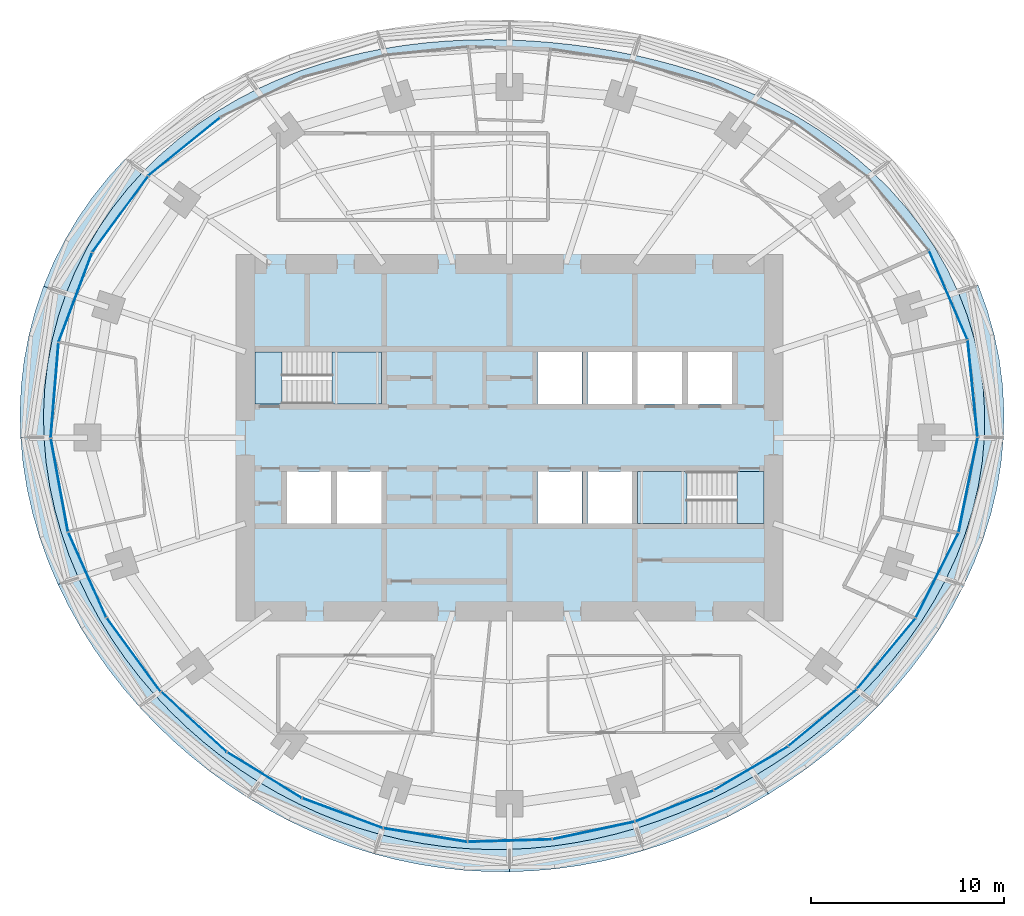
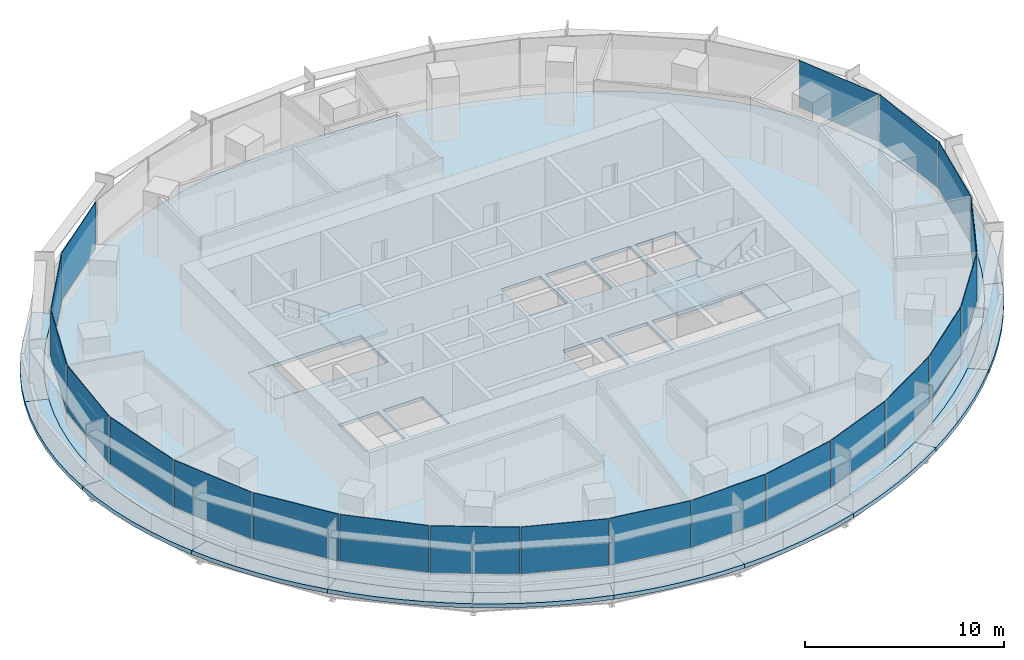
# One storey, part 10 of 17: 21 plates, 18 slabs, 7 elements without a shape of their own.
"""IFC4 building model written with IfcOpenShell, lengths in metres."""

from ifc_helpers import new_model, si_unit, direction, frame, origin, origin_2d, place, context, subcontext, project, spatial, polyline, rectangle, outline, extrude, material, layer, layer_set, type_object, element, aggregate, save


model = new_model("IFC4")

# Units and contexts
model_context = context("Model", 3, precision=1e-05, world=origin(), true_north=direction((0.0, 1.0)))
body_context = subcontext(model_context, "Body", "Model", "MODEL_VIEW")
ifc_project = project(units=[si_unit("LENGTHUNIT", "METRE"), si_unit("AREAUNIT", "SQUARE_METRE"), si_unit("VOLUMEUNIT", "CUBIC_METRE"), si_unit("PLANEANGLEUNIT", "RADIAN"), si_unit("MASSUNIT", "GRAM", prefix="KILO")], contexts=[model_context])

# Site, building, storey
site_placement = place(None, origin())
site = spatial("IfcSite", under=ifc_project, at=site_placement, CompositionType="ELEMENT")
building_placement = place(site_placement, origin())
building = spatial("IfcBuilding", under=site, at=building_placement, Name="Marramba Exchange Tower", CompositionType="ELEMENT")
storey_placement = place(building_placement, frame((0.0, 0.0, 172.10009765625)))
storey = spatial("IfcBuildingStorey", under=building, at=storey_placement, Name="L41", CompositionType="ELEMENT", Elevation=172.10009765625)

# Slab
ifc_material_1 = material(Name="Concrete N40", Category="concrete")
ifc_layer_1 = layer(ifc_material_1, 0.199951171875)
ifc_layer_set_1 = layer_set([ifc_layer_1], Name="Floor slab 200")
slab_type_1 = type_object("IfcSlabType", Name="Floor slab 200", PredefinedType="FLOOR", material=ifc_layer_set_1)
slab_1_placement = place(storey_placement, frame((0.0, 0.0, -0.2001953125)))
element("IfcSlab", 1, at=slab_1_placement, inside=storey, type_object=slab_type_1, Name="Floor slab L41", PredefinedType="FLOOR", context=body_context, shape_type="SweptSolid", body=[
    extrude(outline(polyline([(24.64404296875, 0.0), (24.661376953125, 1.29248046875), (24.580078125, 2.58349609375), (24.399658203125, 3.864501953125), (24.12109375, 5.127197265625), (23.7470703125, 6.363037109375), (23.281494140625, 7.564697265625), (22.72900390625, 8.724853515625), (22.095947265625, 9.837646484375), (21.388427734375, 10.89794921875), (20.614013671875, 11.901611328125), (19.780029296875, 12.845458984375), (18.894287109375, 13.7275390625), (17.964111328125, 14.547119140625), (16.996826171875, 15.303955078125), (15.9990234375, 15.9990234375), (14.977294921875, 16.634033203125), (13.936767578125, 17.21044921875), (12.882568359375, 17.7314453125), (11.819091796875, 18.19970703125), (10.749267578125, 18.6181640625), (9.67578125, 18.989990234375), (8.60107421875, 19.318115234375), (7.52587890625, 19.60546875), (6.451171875, 19.8544921875), (5.377197265625, 20.067626953125), (4.303466796875, 20.246337890625), (3.229736328125, 20.39208984375), (2.1552734375, 20.50537109375), (1.078857421875, 20.5869140625), (0.0, 20.63623046875), (-1.082275390625, 20.652587890625), (-2.168701171875, 20.634765625), (-3.259765625, 20.580810546875), (-4.35498046875, 20.4892578125), (-5.45458984375, 20.35693359375), (-6.557373046875, 20.181884765625), (-7.662353515625, 19.9609375), (-8.76708984375, 19.691162109375), (-9.869384765625, 19.369873046875), (-10.96630859375, 18.994384765625), (-12.05419921875, 18.561767578125), (-13.128662109375, 18.070068359375), (-14.185546875, 17.517578125), (-15.218994140625, 16.902587890625), (-16.22412109375, 16.22412109375), (-17.195068359375, 15.482421875), (-18.12548828125, 14.677734375), (-19.009521484375, 13.811279296875), (-19.841064453125, 12.885009765625), (-20.614013671875, 11.901611328125), (-21.32275390625, 10.864501953125), (-21.9619140625, 9.778076171875), (-22.52685546875, 8.647216796875), (-23.01318359375, 7.477294921875), (-23.417724609375, 6.274658203125), (-23.73779296875, 5.045654296875), (-23.971923828125, 3.796875), (-24.119384765625, 2.53515625), (-24.180419921875, 1.267333984375), (-24.156005859375, 0.0), (-24.04833984375, -1.26025390625), (-23.860107421875, -2.5078125), (-23.594482421875, -3.737060546875), (-23.25537109375, -4.943115234375), (-22.846923828125, -6.121826171875), (-22.373291015625, -7.26953125), (-21.8388671875, -8.38330078125), (-21.247802734375, -9.460205078125), (-20.604248046875, -10.49853515625), (-19.912109375, -11.496337890625), (-19.174560546875, -12.4521484375), (-18.395263671875, -13.364990234375), (-17.5771484375, -14.233642578125), (-16.72265625, -15.05712890625), (-15.834228515625, -15.834228515625), (-14.914794921875, -16.564453125), (-13.966064453125, -17.24658203125), (-12.990234375, -17.879638671875), (-11.98974609375, -18.46240234375), (-10.96630859375, -18.994384765625), (-9.922607421875, -19.47412109375), (-8.860595703125, -19.901123046875), (-7.78271484375, -20.2744140625), (-6.691162109375, -20.593505859375), (-5.5888671875, -20.858154296875), (-4.478271484375, -21.068115234375), (-3.361328125, -21.22314453125), (-2.2412109375, -21.32373046875), (-1.119873046875, -21.370361328125), (0.0, -21.36376953125), (1.116455078125, -21.3046875), (2.2275390625, -21.194580078125), (3.33154296875, -21.0341796875), (4.426513671875, -20.8251953125), (5.511474609375, -20.56884765625), (6.5849609375, -20.266357421875), (7.646240234375, -19.919189453125), (8.694580078125, -19.528076171875), (9.72900390625, -19.09423828125), (10.749267578125, -18.6181640625), (11.75439453125, -18.100341796875), (12.744140625, -17.541015625), (13.71728515625, -16.939697265625), (14.6728515625, -16.2958984375), (15.609130859375, -15.609130859375), (16.5244140625, -14.878662109375), (17.415771484375, -14.10302734375), (18.280029296875, -13.28125), (19.11376953125, -12.41259765625), (19.912109375, -11.496337890625), (20.669921875, -10.531982421875), (21.3818359375, -9.519775390625), (22.041259765625, -8.4609375), (22.641845703125, -7.356689453125), (23.176513671875, -6.210205078125), (23.638671875, -5.024658203125), (24.022216796875, -3.8046875), (24.32080078125, -2.55615234375), (24.529541015625, -1.28564453125), (24.64404296875, 0.0)]), holes=[polyline([(1.449951171875, 1.75), (3.75, 1.75), (3.75, 4.449951171875), (1.449951171875, 4.449951171875), (1.449951171875, 1.75)]), polyline([(4.050048828125, 1.75), (6.35009765625, 1.75), (6.35009765625, 4.449951171875), (4.050048828125, 4.449951171875), (4.050048828125, 1.75)]), polyline([(1.449951171875, -4.449951171875), (3.75, -4.449951171875), (3.75, -1.75), (1.449951171875, -1.75), (1.449951171875, -4.449951171875)]), polyline([(4.050048828125, -4.449951171875), (6.35009765625, -4.449951171875), (6.35009765625, -1.75), (4.050048828125, -1.75), (4.050048828125, -4.449951171875)]), polyline([(6.64990234375, 1.75), (8.949951171875, 1.75), (8.949951171875, 4.449951171875), (6.64990234375, 4.449951171875), (6.64990234375, 1.75)]), polyline([(-8.949951171875, -4.449951171875), (-6.64990234375, -4.449951171875), (-6.64990234375, -1.75), (-8.949951171875, -1.75), (-8.949951171875, -4.449951171875)]), polyline([(-11.550048828125, -4.449951171875), (-9.25, -4.449951171875), (-9.25, -1.75), (-11.550048828125, -1.75), (-11.550048828125, -4.449951171875)]), polyline([(9.25, 1.75), (11.550048828125, 1.75), (11.550048828125, 4.449951171875), (9.25, 4.449951171875), (9.25, 1.75)]), polyline([(-13.199951171875, 1.75), (-6.64990234375, 1.75), (-6.64990234375, 4.449951171875), (-13.199951171875, 4.449951171875), (-13.199951171875, 1.75)]), polyline([(6.64990234375, -4.449951171875), (13.199951171875, -4.449951171875), (13.199951171875, -1.75), (6.64990234375, -1.75), (6.64990234375, -4.449951171875)])]), origin(), (0.0, 0.0, 1.0), 0.2001953125),
])

# Curtain wall, plates
ifc_material_2 = material(Name="Aluminium framing, bronze anodised", Category="aluminium")
curtain_wall_type = type_object("IfcCurtainWallType", Name="Office ribbon curtain wall", PredefinedType="USERDEFINED", material=ifc_material_2)
curtain_wall_1_placement = place(storey_placement, origin())
curtain_wall_1 = element("IfcCurtainWall", 2, at=curtain_wall_1_placement, inside=storey, type_object=curtain_wall_type, Name="Curtain wall CW4 L41 F01-F05", ObjectType="RIBBON CURTAIN WALL", PredefinedType="USERDEFINED")
ifc_material_3 = material(Name="Laminated double glazed unit 10.76 + 16 + 10.76, bronze tinted", Category="glass")
ifc_layer_2 = layer(ifc_material_3, 0.03759765625)
ifc_layer_set_2 = layer_set([ifc_layer_2], Name="Office ribbon curtain wall panel")
plate_type = type_object("IfcPlateType", Name="Office ribbon curtain wall panel", PredefinedType="CURTAIN_PANEL", material=ifc_layer_set_2)
plate_1_placement = place(storey_placement, frame((24.033203125, 2.556884765625, 0.85986328125), z_axis=(0.0, 0.0, 1.0), x_axis=(-0.101422472607, 0.994843446001, 0.0)))
plate_1 = element("IfcPlate", 3, at=plate_1_placement, type_object=plate_type, Name="CW4 vision panel", PredefinedType="CURTAIN_PANEL", context=body_context, shape_type="SweptSolid", body=[
    extrude(rectangle(XDim=5.0205078125, YDim=0.03759765625, at=origin_2d()), origin(), (0.0, 0.0, 1.0), 2.8798828125),
])
plate_2_placement = place(storey_placement, frame((22.765625, 7.40234375, 0.85986328125), z_axis=(0.0, 0.0, 1.0), x_axis=(-0.396193346946, 0.918167104527, 0.0)))
plate_2 = element("IfcPlate", 4, at=plate_2_placement, type_object=plate_type, Name="CW4 vision panel", PredefinedType="CURTAIN_PANEL", context=body_context, shape_type="SweptSolid", body=[
    extrude(rectangle(XDim=4.99462890625, YDim=0.03759765625, at=origin_2d()), origin(), (0.0, 0.0, 1.0), 2.8798828125),
])
aggregate(curtain_wall_1, [plate_1, plate_2])

curtain_wall_2_placement = place(storey_placement, origin())
curtain_wall_2 = element("IfcCurtainWall", 5, at=curtain_wall_2_placement, inside=storey, type_object=curtain_wall_type, Name="Curtain wall CW4 L41 F11-F15", ObjectType="RIBBON CURTAIN WALL", PredefinedType="USERDEFINED")
plate_3_placement = place(storey_placement, frame((-16.87890625, 15.10498046875, 0.85986328125), z_axis=(0.0, 0.0, 1.0), x_axis=(-0.776432169145, -0.630200830464, 0.0)))
plate_3 = element("IfcPlate", 6, at=plate_3_placement, type_object=plate_type, Name="CW4 vision panel", PredefinedType="CURTAIN_PANEL", context=body_context, shape_type="SweptSolid", body=[
    extrude(rectangle(XDim=4.7587890625, YDim=0.03759765625, at=origin_2d()), origin(), (0.0, 0.0, 1.0), 2.8798828125),
])
plate_4_placement = place(storey_placement, frame((-20.2021484375, 11.596435546875, 0.85986328125), z_axis=(0.0, 0.0, 1.0), x_axis=(-0.591962922138, -0.805965197024, 0.0)))
plate_4 = element("IfcPlate", 7, at=plate_4_placement, type_object=plate_type, Name="CW4 vision panel", PredefinedType="CURTAIN_PANEL", context=body_context, shape_type="SweptSolid", body=[
    extrude(rectangle(XDim=4.865478515625, YDim=0.03759765625, at=origin_2d()), origin(), (0.0, 0.0, 1.0), 2.8798828125),
])
plate_5_placement = place(storey_placement, frame((-22.529296875, 7.276123046875, 0.85986328125), z_axis=(0.0, 0.0, 1.0), x_axis=(-0.351951515885, -0.936018231909, 0.0)))
plate_5 = element("IfcPlate", 8, at=plate_5_placement, type_object=plate_type, Name="CW4 vision panel", PredefinedType="CURTAIN_PANEL", context=body_context, shape_type="SweptSolid", body=[
    extrude(rectangle(XDim=4.921630859375, YDim=0.03759765625, at=origin_2d()), origin(), (0.0, 0.0, 1.0), 2.8798828125),
])
plate_6_placement = place(storey_placement, frame((-23.603271484375, 2.45654296875, 0.85986328125), z_axis=(0.0, 0.0, 1.0), x_axis=(-0.082280890264, -0.996609178714, 0.0)))
plate_6 = element("IfcPlate", 9, at=plate_6_placement, type_object=plate_type, Name="CW4 vision panel", PredefinedType="CURTAIN_PANEL", context=body_context, shape_type="SweptSolid", body=[
    extrude(rectangle(XDim=4.9296875, YDim=0.03759765625, at=origin_2d()), origin(), (0.0, 0.0, 1.0), 2.8798828125),
])
aggregate(curtain_wall_2, [plate_3, plate_4, plate_5, plate_6])

curtain_wall_3_placement = place(storey_placement, origin())
curtain_wall_3 = element("IfcCurtainWall", 10, at=curtain_wall_3_placement, inside=storey, type_object=curtain_wall_type, Name="Curtain wall CW4 L41 F16-F20", ObjectType="RIBBON CURTAIN WALL", PredefinedType="USERDEFINED")
plate_7_placement = place(storey_placement, frame((-23.354248046875, -2.464599609375, 0.85986328125), z_axis=(0.0, 0.0, 1.0), x_axis=(0.180327438996, -0.983606636184, 0.0)))
plate_7 = element("IfcPlate", 11, at=plate_7_placement, type_object=plate_type, Name="CW4 vision panel", PredefinedType="CURTAIN_PANEL", context=body_context, shape_type="SweptSolid", body=[
    extrude(rectangle(XDim=4.8916015625, YDim=0.03759765625, at=origin_2d()), origin(), (0.0, 0.0, 1.0), 2.8798828125),
])
plate_8_placement = place(storey_placement, frame((-21.908447265625, -7.12158203125, 0.85986328125), z_axis=(0.0, 0.0, 1.0), x_axis=(0.407557580942, -0.913179510401, 0.0)))
plate_8 = element("IfcPlate", 12, at=plate_8_placement, type_object=plate_type, Name="CW4 vision panel", PredefinedType="CURTAIN_PANEL", context=body_context, shape_type="SweptSolid", body=[
    extrude(rectangle(XDim=4.810302734375, YDim=0.03759765625, at=origin_2d()), origin(), (0.0, 0.0, 1.0), 2.8798828125),
])
plate_9_placement = place(storey_placement, frame((-19.50244140625, -11.2626953125, 0.85986328125), z_axis=(0.0, 0.0, 1.0), x_axis=(0.591223103363, -0.806508054547, 0.0)))
plate_9 = element("IfcPlate", 13, at=plate_9_placement, type_object=plate_type, Name="CW4 vision panel", PredefinedType="CURTAIN_PANEL", context=body_context, shape_type="SweptSolid", body=[
    extrude(rectangle(XDim=4.703125, YDim=0.03759765625, at=origin_2d()), origin(), (0.0, 0.0, 1.0), 2.8798828125),
])
plate_10_placement = place(storey_placement, frame((-16.374267578125, -14.752197265625, 0.85986328125), z_axis=(0.0, 0.0, 1.0), x_axis=(0.737203264245, -0.67567103474, 0.0)))
plate_10 = element("IfcPlate", 14, at=plate_10_placement, type_object=plate_type, Name="CW4 vision panel", PredefinedType="CURTAIN_PANEL", context=body_context, shape_type="SweptSolid", body=[
    extrude(rectangle(XDim=4.594970703125, YDim=0.03759765625, at=origin_2d()), origin(), (0.0, 0.0, 1.0), 2.8798828125),
])
plate_11_placement = place(storey_placement, frame((-12.71044921875, -17.513427734375, 0.85986328125), z_axis=(0.0, 0.0, 1.0), x_axis=(0.85230101176, -0.52305160869, 0.0)))
plate_11 = element("IfcPlate", 15, at=plate_11_placement, type_object=plate_type, Name="CW4 vision panel", PredefinedType="CURTAIN_PANEL", context=body_context, shape_type="SweptSolid", body=[
    extrude(rectangle(XDim=4.503173828125, YDim=0.03759765625, at=origin_2d()), origin(), (0.0, 0.0, 1.0), 2.8798828125),
])
aggregate(curtain_wall_3, [plate_7, plate_8, plate_9, plate_10, plate_11])

curtain_wall_4_placement = place(storey_placement, origin())
curtain_wall_4 = element("IfcCurtainWall", 16, at=curtain_wall_4_placement, inside=storey, type_object=curtain_wall_type, Name="Curtain wall CW4 L41 F21-F25", ObjectType="RIBBON CURTAIN WALL", PredefinedType="USERDEFINED")
plate_12_placement = place(storey_placement, frame((-8.6591796875, -19.486572265625, 0.85986328125), z_axis=(0.0, 0.0, 1.0), x_axis=(0.936951583142, -0.349459197687, 0.0)))
plate_12 = element("IfcPlate", 17, at=plate_12_placement, type_object=plate_type, Name="CW4 vision panel", PredefinedType="CURTAIN_PANEL", context=body_context, shape_type="SweptSolid", body=[
    extrude(rectangle(XDim=4.431396484375, YDim=0.03759765625, at=origin_2d()), origin(), (0.0, 0.0, 1.0), 2.8798828125),
])
plate_13_placement = place(storey_placement, frame((-4.3642578125, -20.623046875, 0.85986328125), z_axis=(0.0, 0.0, 1.0), x_axis=(0.986930623159, -0.161145726194, 0.0)))
plate_13 = element("IfcPlate", 18, at=plate_13_placement, type_object=plate_type, Name="CW4 vision panel", PredefinedType="CURTAIN_PANEL", context=body_context, shape_type="SweptSolid", body=[
    extrude(rectangle(XDim=4.37646484375, YDim=0.03759765625, at=origin_2d()), origin(), (0.0, 0.0, 1.0), 2.8798828125),
])
plate_14_placement = place(storey_placement, frame((0.023193359375, -20.91015625, 0.85986328125), z_axis=(0.0, 0.0, 1.0), x_axis=(0.99956791915, 0.029393451762, 0.0)))
plate_14 = element("IfcPlate", 19, at=plate_14_placement, type_object=plate_type, Name="CW4 vision panel", PredefinedType="CURTAIN_PANEL", context=body_context, shape_type="SweptSolid", body=[
    extrude(rectangle(XDim=4.337646484375, YDim=0.03759765625, at=origin_2d()), origin(), (0.0, 0.0, 1.0), 2.8798828125),
])
plate_15_placement = place(storey_placement, frame((4.36328125, -20.3837890625, 0.85986328125), z_axis=(0.0, 0.0, 1.0), x_axis=(0.978058069607, 0.208332456608, 0.0)))
plate_15 = element("IfcPlate", 20, at=plate_15_placement, type_object=plate_type, Name="CW4 vision panel", PredefinedType="CURTAIN_PANEL", context=body_context, shape_type="SweptSolid", body=[
    extrude(rectangle(XDim=4.32177734375, YDim=0.03759765625, at=origin_2d()), origin(), (0.0, 0.0, 1.0), 2.8798828125),
])
plate_16_placement = place(storey_placement, frame((8.553466796875, -19.11328125, 0.85986328125), z_axis=(0.0, 0.0, 1.0), x_axis=(0.93007301435, 0.367374724195, 0.0)))
plate_16 = element("IfcPlate", 21, at=plate_16_placement, type_object=plate_type, Name="CW4 vision panel", PredefinedType="CURTAIN_PANEL", context=body_context, shape_type="SweptSolid", body=[
    extrude(rectangle(XDim=4.345458984375, YDim=0.03759765625, at=origin_2d()), origin(), (0.0, 0.0, 1.0), 2.8798828125),
])
aggregate(curtain_wall_4, [plate_12, plate_13, plate_14, plate_15, plate_16])

curtain_wall_5_placement = place(storey_placement, origin())
curtain_wall_5 = element("IfcCurtainWall", 22, at=curtain_wall_5_placement, inside=storey, type_object=curtain_wall_type, Name="Curtain wall CW4 L41 F26-F30", ObjectType="RIBBON CURTAIN WALL", PredefinedType="USERDEFINED")
plate_17_placement = place(storey_placement, frame((12.5322265625, -17.16015625, 0.85986328125), z_axis=(0.0, 0.0, 1.0), x_axis=(0.861350833897, 0.508010571686, 0.0)))
plate_17 = element("IfcPlate", 23, at=plate_17_placement, type_object=plate_type, Name="CW4 vision panel", PredefinedType="CURTAIN_PANEL", context=body_context, shape_type="SweptSolid", body=[
    extrude(rectangle(XDim=4.426513671875, YDim=0.03759765625, at=origin_2d()), origin(), (0.0, 0.0, 1.0), 2.8798828125),
])
plate_18_placement = place(storey_placement, frame((16.240966796875, -14.536376953125, 0.85986328125), z_axis=(0.0, 0.0, 1.0), x_axis=(0.768736798421, 0.639565270127, 0.0)))
plate_18 = element("IfcPlate", 24, at=plate_18_placement, type_object=plate_type, Name="CW4 vision panel", PredefinedType="CURTAIN_PANEL", context=body_context, shape_type="SweptSolid", body=[
    extrude(rectangle(XDim=4.568603515625, YDim=0.03759765625, at=origin_2d()), origin(), (0.0, 0.0, 1.0), 2.8798828125),
])
plate_19_placement = place(storey_placement, frame((19.548583984375, -11.203369140625, 0.85986328125), z_axis=(0.0, 0.0, 1.0), x_axis=(0.63814998673, 0.769912069289, 0.0)))
plate_19 = element("IfcPlate", 25, at=plate_19_placement, type_object=plate_type, Name="CW4 vision panel", PredefinedType="CURTAIN_PANEL", context=body_context, shape_type="SweptSolid", body=[
    extrude(rectangle(XDim=4.7431640625, YDim=0.03759765625, at=origin_2d()), origin(), (0.0, 0.0, 1.0), 2.8798828125),
])
plate_20_placement = place(storey_placement, frame((22.19287109375, -7.137939453125, 0.85986328125), z_axis=(0.0, 0.0, 1.0), x_axis=(0.450673083956, 0.892689067591, 0.0)))
plate_20 = element("IfcPlate", 26, at=plate_20_placement, type_object=plate_type, Name="CW4 vision panel", PredefinedType="CURTAIN_PANEL", context=body_context, shape_type="SweptSolid", body=[
    extrude(rectangle(XDim=4.897705078125, YDim=0.03759765625, at=origin_2d()), origin(), (0.0, 0.0, 1.0), 2.8798828125),
])
plate_21_placement = place(storey_placement, frame((23.801025390625, -2.446533203125, 0.85986328125), z_axis=(0.0, 0.0, 1.0), x_axis=(0.197495405316, 0.980303812539, 0.0)))
plate_21 = element("IfcPlate", 27, at=plate_21_placement, type_object=plate_type, Name="CW4 vision panel", PredefinedType="CURTAIN_PANEL", context=body_context, shape_type="SweptSolid", body=[
    extrude(rectangle(XDim=4.9912109375, YDim=0.03759765625, at=origin_2d()), origin(), (0.0, 0.0, 1.0), 2.8798828125),
])
aggregate(curtain_wall_5, [plate_17, plate_18, plate_19, plate_20, plate_21])

# Slabs
ifc_layer_3 = layer(ifc_material_1, 0.25)
ifc_layer_set_3 = layer_set([ifc_layer_3], Name="Setback roof slab 250")
slab_type_2 = type_object("IfcSlabType", Name="Setback roof slab 250", PredefinedType="ROOF", material=ifc_layer_set_3)
slab_2_placement = place(storey_placement, frame((0.0, 0.0, -0.25)))
element("IfcSlab", 28, at=slab_2_placement, inside=storey, type_object=slab_type_2, Name="Setback roof slab L41 bay 01 (maintenance access only)", PredefinedType="ROOF", context=body_context, shape_type="SweptSolid", body=[
    extrude(outline(polyline([(24.322998046875, 7.903076171875), (24.7841796875, 6.640869140625), (25.15087890625, 5.345947265625), (25.420166015625, 4.026123046875), (25.59033203125, 2.689697265625), (25.66064453125, 1.3447265625), (25.632080078125, 0.0), (24.64404296875, 0.0), (24.661376953125, 1.29248046875), (24.580078125, 2.58349609375), (24.399658203125, 3.864501953125), (24.12109375, 5.127197265625), (23.7470703125, 6.363037109375), (23.281494140625, 7.564697265625), (24.322998046875, 7.903076171875)])), origin(), (0.0, 0.0, 1.0), 0.25),
])
slab_3_placement = place(storey_placement, frame((0.0, 0.0, -0.25)))
element("IfcSlab", 29, at=slab_3_placement, inside=storey, type_object=slab_type_2, Name="Setback roof slab L41 bay 09 (maintenance access only)", PredefinedType="ROOF", context=body_context, shape_type="SweptSolid", body=[
    extrude(outline(polyline([(-23.661865234375, 9.0830078125), (-23.0625, 10.26806640625), (-22.384033203125, 11.4052734375), (-21.632080078125, 12.4892578125), (-20.8125, 13.515869140625), (-19.931884765625, 14.4814453125), (-19.009521484375, 13.811279296875), (-19.841064453125, 12.885009765625), (-20.614013671875, 11.901611328125), (-21.32275390625, 10.864501953125), (-21.9619140625, 9.778076171875), (-22.52685546875, 8.647216796875), (-23.01318359375, 7.477294921875), (-24.177734375, 7.855712890625), (-23.661865234375, 9.0830078125)])), origin(), (0.0, 0.0, 1.0), 0.25),
])
slab_4_placement = place(storey_placement, frame((0.0, 0.0, -0.25)))
element("IfcSlab", 30, at=slab_4_placement, inside=storey, type_object=slab_type_2, Name="Setback roof slab L41 bay 10 (maintenance access only)", PredefinedType="ROOF", context=body_context, shape_type="SweptSolid", body=[
    extrude(outline(polyline([(-25.400390625, 1.3310546875), (-25.341064453125, 2.663330078125), (-25.18896484375, 3.989501953125), (-24.943603515625, 5.302001953125), (-24.605712890625, 6.593017578125), (-24.177734375, 7.855712890625), (-23.01318359375, 7.477294921875), (-23.417724609375, 6.274658203125), (-23.73779296875, 5.045654296875), (-23.971923828125, 3.796875), (-24.119384765625, 2.53515625), (-24.180419921875, 1.267333984375), (-24.156005859375, 0.0), (-25.367919921875, 0.0), (-25.400390625, 1.3310546875)])), origin(), (0.0, 0.0, 1.0), 0.25),
])
slab_5_placement = place(storey_placement, frame((0.0, 0.0, -0.25)))
element("IfcSlab", 31, at=slab_5_placement, inside=storey, type_object=slab_type_2, Name="Setback roof slab L41 bay 11 (maintenance access only)", PredefinedType="ROOF", context=body_context, shape_type="SweptSolid", body=[
    extrude(outline(polyline([(-23.940185546875, -6.414794921875), (-24.381103515625, -5.182373046875), (-24.748779296875, -3.919921875), (-25.038818359375, -2.631591796875), (-25.246337890625, -1.322998046875), (-25.367919921875, 0.0), (-24.156005859375, 0.0), (-24.04833984375, -1.26025390625), (-23.860107421875, -2.5078125), (-23.594482421875, -3.737060546875), (-23.25537109375, -4.943115234375), (-22.846923828125, -6.121826171875), (-22.373291015625, -7.26953125), (-23.431396484375, -7.61328125), (-23.940185546875, -6.414794921875)])), origin(), (0.0, 0.0, 1.0), 0.25),
])
slab_6_placement = place(storey_placement, frame((0.0, 0.0, -0.25)))
element("IfcSlab", 32, at=slab_6_placement, inside=storey, type_object=slab_type_2, Name="Setback roof slab L41 bay 12 (maintenance access only)", PredefinedType="ROOF", context=body_context, shape_type="SweptSolid", body=[
    extrude(outline(polyline([(-20.033935546875, -13.010009765625), (-20.81201171875, -12.015869140625), (-21.545166015625, -10.977783203125), (-22.22900390625, -9.89697265625), (-22.859130859375, -8.77490234375), (-23.431396484375, -7.61328125), (-22.373291015625, -7.26953125), (-21.8388671875, -8.38330078125), (-21.247802734375, -9.460205078125), (-20.604248046875, -10.49853515625), (-19.912109375, -11.496337890625), (-19.174560546875, -12.4521484375), (-18.395263671875, -13.364990234375), (-19.2138671875, -13.959716796875), (-20.033935546875, -13.010009765625)])), origin(), (0.0, 0.0, 1.0), 0.25),
])
slab_7_placement = place(storey_placement, frame((0.0, 0.0, -0.25)))
element("IfcSlab", 33, at=slab_7_placement, inside=storey, type_object=slab_type_2, Name="Setback roof slab L41 bay 13 (maintenance access only)", PredefinedType="ROOF", context=body_context, shape_type="SweptSolid", body=[
    extrude(outline(polyline([(-14.587646484375, -18.014404296875), (-15.5751953125, -17.298095703125), (-16.53369140625, -16.53369140625), (-17.461181640625, -15.72216796875), (-18.35546875, -14.86376953125), (-19.2138671875, -13.959716796875), (-18.395263671875, -13.364990234375), (-17.5771484375, -14.233642578125), (-16.72265625, -15.05712890625), (-15.834228515625, -15.834228515625), (-14.914794921875, -16.564453125), (-13.966064453125, -17.24658203125), (-12.990234375, -17.879638671875), (-13.5732421875, -18.681884765625), (-14.587646484375, -18.014404296875)])), origin(), (0.0, 0.0, 1.0), 0.25),
])
slab_8_placement = place(storey_placement, frame((0.0, 0.0, -0.25)))
element("IfcSlab", 34, at=slab_8_placement, inside=storey, type_object=slab_type_2, Name="Setback roof slab L41 bay 14 (maintenance access only)", PredefinedType="ROOF", context=body_context, shape_type="SweptSolid", body=[
    extrude(outline(polyline([(-7.019287109375, -21.603271484375), (-8.157470703125, -21.250732421875), (-9.27978515625, -20.8427734375), (-10.384765625, -20.381103515625), (-11.4697265625, -19.8662109375), (-12.533203125, -19.299560546875), (-13.5732421875, -18.681884765625), (-12.990234375, -17.879638671875), (-11.98974609375, -18.46240234375), (-10.96630859375, -18.994384765625), (-9.922607421875, -19.47412109375), (-8.860595703125, -19.901123046875), (-7.78271484375, -20.2744140625), (-6.691162109375, -20.593505859375), (-7.019287109375, -21.603271484375)])), origin(), (0.0, 0.0, 1.0), 0.25),
])
slab_9_placement = place(storey_placement, frame((0.0, 0.0, -0.25)))
element("IfcSlab", 35, at=slab_9_placement, inside=storey, type_object=slab_type_2, Name="Setback roof slab L41 bay 15 (maintenance access only)", PredefinedType="ROOF", context=body_context, shape_type="SweptSolid", body=[
    extrude(outline(polyline([(-1.179931640625, -22.516357421875), (-2.359375, -22.448486328125), (-3.53564453125, -22.322998046875), (-4.7060546875, -22.14013671875), (-5.8681640625, -21.900146484375), (-7.019287109375, -21.603271484375), (-6.691162109375, -20.593505859375), (-5.5888671875, -20.858154296875), (-4.478271484375, -21.068115234375), (-3.361328125, -21.22314453125), (-2.2412109375, -21.32373046875), (-1.119873046875, -21.370361328125), (0.0, -21.36376953125), (0.0, -22.52685546875), (-1.179931640625, -22.516357421875)])), origin(), (0.0, 0.0, 1.0), 0.25),
])
slab_10_placement = place(storey_placement, frame((0.0, 0.0, -0.25)))
element("IfcSlab", 36, at=slab_10_placement, inside=storey, type_object=slab_type_2, Name="Setback roof slab L41 bay 16 (maintenance access only)", PredefinedType="ROOF", context=body_context, shape_type="SweptSolid", body=[
    extrude(outline(polyline([(6.96142578125, -21.425048828125), (5.825927734375, -21.742431640625), (4.677978515625, -22.0078125), (3.519287109375, -22.22021484375), (2.35205078125, -22.3779296875), (1.17822265625, -22.480712890625), (0.0, -22.52685546875), (0.0, -21.36376953125), (1.116455078125, -21.3046875), (2.2275390625, -21.194580078125), (3.33154296875, -21.0341796875), (4.426513671875, -20.8251953125), (5.511474609375, -20.56884765625), (6.5849609375, -20.266357421875), (6.96142578125, -21.425048828125)])), origin(), (0.0, 0.0, 1.0), 0.25),
])
slab_11_placement = place(storey_placement, frame((0.0, 0.0, -0.25)))
element("IfcSlab", 37, at=slab_11_placement, inside=storey, type_object=slab_type_2, Name="Setback roof slab L41 bay 17 (maintenance access only)", PredefinedType="ROOF", context=body_context, shape_type="SweptSolid", body=[
    extrude(outline(polyline([(12.4052734375, -19.1025390625), (11.3515625, -19.66162109375), (10.279296875, -20.17431640625), (9.189453125, -20.639892578125), (8.0830078125, -21.05712890625), (6.96142578125, -21.425048828125), (6.5849609375, -20.266357421875), (7.646240234375, -19.919189453125), (8.694580078125, -19.528076171875), (9.72900390625, -19.09423828125), (10.749267578125, -18.6181640625), (11.75439453125, -18.100341796875), (12.744140625, -17.541015625), (13.439453125, -18.497802734375), (12.4052734375, -19.1025390625)])), origin(), (0.0, 0.0, 1.0), 0.25),
])
slab_12_placement = place(storey_placement, frame((0.0, 0.0, -0.25)))
element("IfcSlab", 38, at=slab_12_placement, inside=storey, type_object=slab_type_2, Name="Setback roof slab L41 bay 18 (maintenance access only)", PredefinedType="ROOF", context=body_context, shape_type="SweptSolid", body=[
    extrude(outline(polyline([(19.1513671875, -13.914306640625), (18.267822265625, -14.79296875), (17.353515625, -15.625244140625), (16.411376953125, -16.411376953125), (15.44384765625, -17.152099609375), (14.45263671875, -17.847412109375), (13.439453125, -18.497802734375), (12.744140625, -17.541015625), (13.71728515625, -16.939697265625), (14.6728515625, -16.2958984375), (15.609130859375, -15.609130859375), (16.5244140625, -14.878662109375), (17.415771484375, -14.10302734375), (18.280029296875, -13.28125), (19.1513671875, -13.914306640625)])), origin(), (0.0, 0.0, 1.0), 0.25),
])
slab_13_placement = place(storey_placement, frame((0.0, 0.0, -0.25)))
element("IfcSlab", 39, at=slab_13_placement, inside=storey, type_object=slab_type_2, Name="Setback roof slab L41 bay 19 (maintenance access only)", PredefinedType="ROOF", context=body_context, shape_type="SweptSolid", body=[
    extrude(outline(polyline([(23.57666015625, -7.660400390625), (22.96875, -8.81689453125), (22.301513671875, -9.92919921875), (21.580810546875, -10.995849609375), (20.81201171875, -12.015869140625), (20.000732421875, -12.98876953125), (19.1513671875, -13.914306640625), (18.280029296875, -13.28125), (19.11376953125, -12.41259765625), (19.912109375, -11.496337890625), (20.669921875, -10.531982421875), (21.3818359375, -9.519775390625), (22.041259765625, -8.4609375), (22.641845703125, -7.356689453125), (23.57666015625, -7.660400390625)])), origin(), (0.0, 0.0, 1.0), 0.25),
])
slab_14_placement = place(storey_placement, frame((0.0, 0.0, -0.25)))
element("IfcSlab", 40, at=slab_14_placement, inside=storey, type_object=slab_type_2, Name="Setback roof slab L41 bay 20 (maintenance access only)", PredefinedType="ROOF", context=body_context, shape_type="SweptSolid", body=[
    extrude(outline(polyline([(25.5068359375, -1.336669921875), (25.2880859375, -2.657958984375), (24.980224609375, -3.95654296875), (24.588623046875, -5.2265625), (24.11865234375, -6.462646484375), (23.57666015625, -7.660400390625), (22.641845703125, -7.356689453125), (23.176513671875, -6.210205078125), (23.638671875, -5.024658203125), (24.022216796875, -3.8046875), (24.32080078125, -2.55615234375), (24.529541015625, -1.28564453125), (24.64404296875, 0.0), (25.632080078125, 0.0), (25.5068359375, -1.336669921875)])), origin(), (0.0, 0.0, 1.0), 0.25),
])

# Stair, slabs
ifc_material_4 = material(Name="Concrete N40 (40 MPa)", Category="concrete")
stair_type_1 = type_object("IfcStairType", Name="Exit stair ST1 3900 x 1250", PredefinedType="HALF_TURN_STAIR", material=ifc_material_4)
stair_1_placement = place(storey_placement, origin())
stair_1 = element("IfcStair", 41, at=stair_1_placement, inside=storey, type_object=stair_type_1, Name="Exit stair ST1 L41", PredefinedType="HALF_TURN_STAIR")
ifc_layer_4 = layer(ifc_material_4, 0.199951171875)
ifc_layer_set_4 = layer_set([ifc_layer_4], Name="Stair landing 200")
slab_type_3 = type_object("IfcSlabType", Name="Stair landing 200", PredefinedType="LANDING", material=ifc_layer_set_4)
slab_15_placement = place(storey_placement, frame((0.0, 0.0, -0.2001953125)))
slab_15 = element("IfcSlab", 42, at=slab_15_placement, type_object=slab_type_3, Name="ST1 landing 1", PredefinedType="LANDING", context=body_context, shape_type="SweptSolid", body=[
    extrude(outline(polyline([(-13.199951171875, 1.75), (-11.800048828125, 1.75), (-11.800048828125, 4.449951171875), (-13.199951171875, 4.449951171875), (-13.199951171875, 1.75)])), origin(), (0.0, 0.0, 1.0), 0.2001953125),
])
slab_16_placement = place(storey_placement, frame((0.0, 0.0, 1.75)))
slab_16 = element("IfcSlab", 43, at=slab_16_placement, type_object=slab_type_3, Name="ST1 landing 2", PredefinedType="LANDING", context=body_context, shape_type="SweptSolid", body=[
    extrude(outline(polyline([(-9.199951171875, 1.75), (-6.64990234375, 1.75), (-6.64990234375, 4.449951171875), (-9.199951171875, 4.449951171875), (-9.199951171875, 1.75)])), origin(), (0.0, 0.0, 1.0), 0.199951171875),
])
aggregate(stair_1, [slab_15, slab_16])

stair_type_2 = type_object("IfcStairType", Name="Exit stair ST2 3900 x 1250", PredefinedType="HALF_TURN_STAIR", material=ifc_material_4)
stair_2_placement = place(storey_placement, origin())
stair_2 = element("IfcStair", 44, at=stair_2_placement, inside=storey, type_object=stair_type_2, Name="Exit stair ST2 L41", PredefinedType="HALF_TURN_STAIR")
slab_17_placement = place(storey_placement, frame((0.0, 0.0, -0.2001953125)))
slab_17 = element("IfcSlab", 45, at=slab_17_placement, type_object=slab_type_3, Name="ST2 landing 1", PredefinedType="LANDING", context=body_context, shape_type="SweptSolid", body=[
    extrude(outline(polyline([(11.800048828125, -4.449951171875), (13.199951171875, -4.449951171875), (13.199951171875, -1.75), (11.800048828125, -1.75), (11.800048828125, -4.449951171875)])), origin(), (0.0, 0.0, 1.0), 0.2001953125),
])
slab_18_placement = place(storey_placement, frame((0.0, 0.0, 1.75)))
slab_18 = element("IfcSlab", 46, at=slab_18_placement, type_object=slab_type_3, Name="ST2 landing 2", PredefinedType="LANDING", context=body_context, shape_type="SweptSolid", body=[
    extrude(outline(polyline([(6.64990234375, -4.449951171875), (9.199951171875, -4.449951171875), (9.199951171875, -1.75), (6.64990234375, -1.75), (6.64990234375, -4.449951171875)])), origin(), (0.0, 0.0, 1.0), 0.199951171875),
])
aggregate(stair_2, [slab_17, slab_18])

save(model, "model.ifc")
